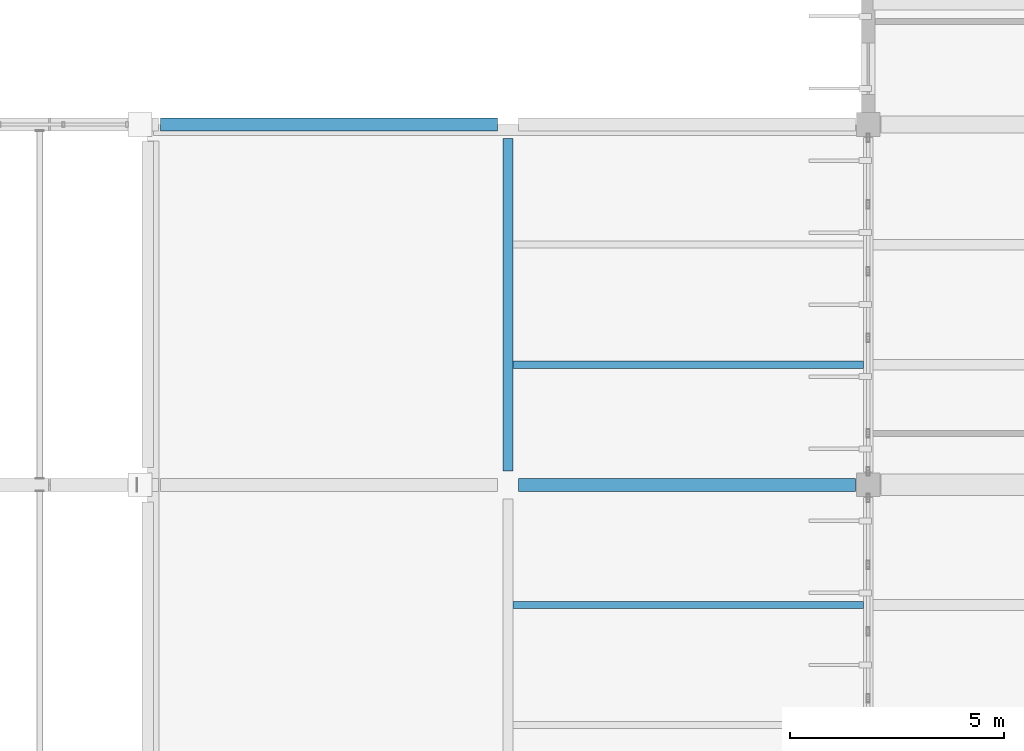
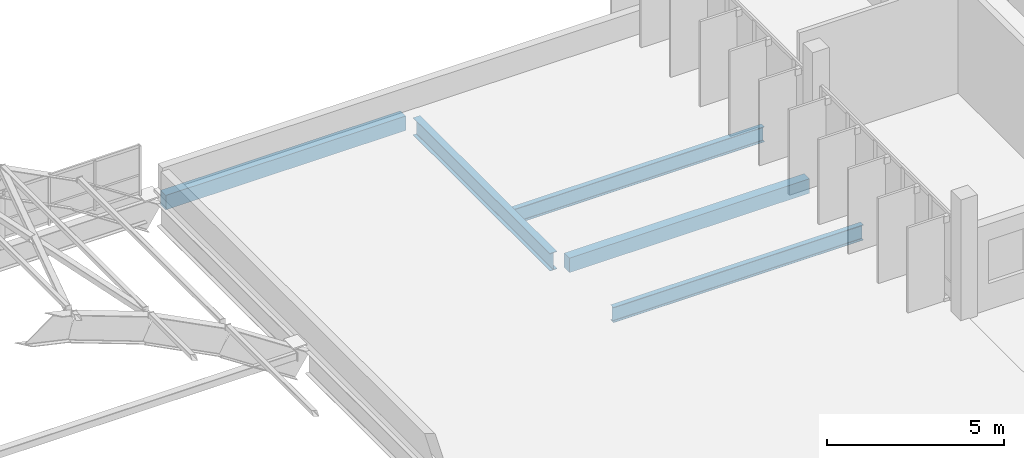
# One storey, part 19 of 130: 5 beams.
"""IFC4 building model written with IfcOpenShell, lengths in metres."""

import ifcopenshell
import ifcopenshell.guid

model = None  # the IFC model being written
_history = None  # IfcOwnerHistory: only IFC2X3 demands one
_inside = {}  # id of a spatial element -> (the spatial element, [elements in it])
_under = {}  # id of a project, library or spatial element -> (it, [spatial elements below it])
_declared = {}  # id of a project -> (the project, [libraries it declares])
_typed = {}  # id of a type object -> (the type object, [elements of that type])
_made_of = {}  # id of a material, layer set ... -> (it, [elements and type objects made of it])


def new_model(schema):
    """Start an empty IFC model of exactly this schema.

    Asked for "IFC4X3", IfcOpenShell would pick the latest addendum, in which some entities
    have other attributes; the version numbers below select the first issue.
    IFC2X3 requires an IfcOwnerHistory on every rooted entity: one is made here for all.
    """
    global model, _history
    if schema == "IFC4X3":
        model = ifcopenshell.file(schema_version=(4, 3, 0, 0))
    else:
        model = ifcopenshell.file(schema=schema)
    _inside.clear()
    _under.clear()
    _declared.clear()
    _typed.clear()
    _made_of.clear()
    _history = None
    if model.schema == "IFC2X3":
        org = make("IfcOrganization", Name="unknown")
        user = make(
            "IfcPersonAndOrganization",
            ThePerson=make("IfcPerson", FamilyName="unknown"),
            TheOrganization=org,
        )
        app = make(
            "IfcApplication",
            ApplicationDeveloper=org,
            Version="unknown",
            ApplicationFullName="unknown",
            ApplicationIdentifier="unknown",
        )
        _history = make(
            "IfcOwnerHistory",
            OwningUser=user,
            OwningApplication=app,
            ChangeAction="ADDED",
            CreationDate=0,
        )
    return model


def make(cls, **values):
    """One entity of the class cls with the attributes given. An attribute that is None is left unset."""
    return model.create_entity(
        cls, **{name: value for name, value in values.items() if value is not None}
    )


def rooted(cls, **values):
    """An entity with a GlobalId (a new one), such as an element, a storey or a relation."""
    return make(cls, GlobalId=ifcopenshell.guid.new(), OwnerHistory=_history, **values)


def si_unit(unit_type, name, prefix=None):
    """IfcSIUnit, for example si_unit("LENGTHUNIT", "METRE", prefix="MILLI")."""
    return make("IfcSIUnit", UnitType=unit_type, Prefix=prefix, Name=name)


def assignment(units):
    """IfcUnitAssignment: the units of a project."""
    return None if units is None else make("IfcUnitAssignment", Units=units)


def point(xyz):
    """IfcCartesianPoint."""
    return None if xyz is None else make("IfcCartesianPoint", Coordinates=xyz)


def direction(xyz):
    """IfcDirection."""
    return None if xyz is None else make("IfcDirection", DirectionRatios=xyz)


def frame(location, z_axis=None, x_axis=None):
    """IfcAxis2Placement3D, a coordinate frame: its origin and axes. An axis left out is left unset."""
    return make(
        "IfcAxis2Placement3D",
        Location=point(location),
        Axis=direction(z_axis),
        RefDirection=direction(x_axis),
    )


def frame_2d(location, x_axis=None):
    """IfcAxis2Placement2D, a coordinate frame in the plane: its origin and x axis."""
    return make(
        "IfcAxis2Placement2D", Location=point(location), RefDirection=direction(x_axis)
    )


def origin():
    """The frame at (0, 0, 0) with its axes left unset."""
    return frame((0.0, 0.0, 0.0))


def origin_2d():
    """The frame at (0, 0) in the plane with its x axis left unset."""
    return frame_2d((0.0, 0.0))


def place(relative_to, where):
    """IfcLocalPlacement: puts the frame where relative to a parent placement (None: the world)."""
    return make(
        "IfcLocalPlacement", PlacementRelTo=relative_to, RelativePlacement=where
    )


def context(
    kind, dimensions, precision=None, world=None, true_north=None, identifier=None
):
    """IfcGeometricRepresentationContext, for example the 3D "Model" context."""
    return make(
        "IfcGeometricRepresentationContext",
        ContextIdentifier=identifier,
        ContextType=kind,
        CoordinateSpaceDimension=dimensions,
        Precision=precision,
        WorldCoordinateSystem=world,
        TrueNorth=true_north,
    )


def subcontext(parent, identifier, kind, view, scale=None):
    """IfcGeometricRepresentationSubContext, for example "Body" below "Model"."""
    return make(
        "IfcGeometricRepresentationSubContext",
        ContextIdentifier=identifier,
        ContextType=kind,
        ParentContext=parent,
        TargetScale=scale,
        TargetView=view,
    )


def project(units=None, contexts=None):
    """IfcProject with its units and contexts."""
    return rooted(
        "IfcProject",
        Name="project",
        RepresentationContexts=contexts,
        UnitsInContext=assignment(units),
    )


def spatial(cls, under=None, at=None, **own):
    """A site, building, storey or space (cls), placed at a placement, below another one or the project."""
    s = rooted(cls, ObjectPlacement=at, **own)
    if under is not None:
        _under.setdefault(under.id(), (under, []))[1].append(s)
    return s


def profile(cls, at=None, kind="AREA", **sizes):
    """A parametric profile (cls). Its sizes go by their IFC names, for example OverallWidth=200.0."""
    return make(cls, ProfileType=kind, Position=at, **sizes)


def rectangle(**sizes):
    """IfcRectangleProfileDef."""
    return profile("IfcRectangleProfileDef", **sizes)


def i_section(**sizes):
    """IfcIShapeProfileDef."""
    return profile("IfcIShapeProfileDef", **sizes)


def extrude(swept, where, along, depth):
    """IfcExtrudedAreaSolid: the profile swept, set in the frame where, extruded along a direction by depth."""
    return make(
        "IfcExtrudedAreaSolid",
        SweptArea=swept,
        Position=where,
        ExtrudedDirection=direction(along),
        Depth=depth,
    )


def shape(context_of_items, identifier, shape_type, items):
    """IfcShapeRepresentation: the items that make up one representation, for example the "Body"."""
    return make(
        "IfcShapeRepresentation",
        ContextOfItems=context_of_items,
        RepresentationIdentifier=identifier,
        RepresentationType=shape_type,
        Items=items,
    )


def material(Name=None, Category=None):
    """IfcMaterial."""
    return make("IfcMaterial", Name=Name, Category=Category)


def material_profile(
    of_material, cross_section, Name=None, Category=None, Priority=None
):
    """IfcMaterialProfile: a cross section and its material."""
    return make(
        "IfcMaterialProfile",
        Name=Name,
        Material=of_material,
        Profile=cross_section,
        Priority=Priority,
        Category=Category,
    )


def profile_set(profiles, Name=None, composite=None):
    """IfcMaterialProfileSet."""
    return make(
        "IfcMaterialProfileSet",
        Name=Name,
        MaterialProfiles=profiles,
        CompositeProfile=composite,
    )


def made_of(thing, what):
    """Note that an element or type object is made of a material, layer set ...; save() writes the relation."""
    if what is not None:
        _made_of.setdefault(what.id(), (what, []))[1].append(thing)
    return thing


def type_object(cls, material=None, **own):
    """A type object (cls), such as IfcWallType, which elements share."""
    return made_of(rooted(cls, **own), material)


def element(
    cls,
    number,
    at=None,
    inside=None,
    cuts=None,
    type_object=None,
    material=None,
    context=None,
    identifier="Body",
    shape_type=None,
    held_by="IfcProductDefinitionShape",
    body=None,
    shapes=None,
    **own,
):
    """One element of the class cls, such as IfcWall. Its Tag is "e" and its number.

    at: its placement. inside: the storey or other place that contains it. cuts: it is an
    opening in that element (IfcRelVoidsElement). A single representation is given by context,
    identifier, shape_type and body (its items); several are given by shapes. held_by: the class
    of the entity that holds the representations. save() writes the other relations.
    """
    e = rooted(cls, Tag="e%d" % number, ObjectPlacement=at, **own)
    if body is not None:
        shapes = [shape(context, identifier, shape_type, body)]
    if shapes is not None:
        e.Representation = make(held_by, Representations=shapes)
    if inside is not None:
        _inside.setdefault(inside.id(), (inside, []))[1].append(e)
    if cuts is not None:
        rooted(
            "IfcRelVoidsElement", RelatingBuildingElement=cuts, RelatedOpeningElement=e
        )
    if type_object is not None:
        _typed.setdefault(type_object.id(), (type_object, []))[1].append(e)
    return made_of(e, material)


def aggregate(whole, parts):
    """IfcRelAggregates: a whole, such as a stair, and the parts it consists of."""
    return rooted("IfcRelAggregates", RelatingObject=whole, RelatedObjects=parts)


def save(model, path):
    """Write the relations noted so far, then the file.

    IfcRelAggregates (storeys below a building ...), IfcRelContainedInSpatialStructure (elements
    in a storey), IfcRelDefinesByType, IfcRelAssociatesMaterial and IfcRelDeclares: one each for
    every whole, place, type object, material and project.
    """
    for whole, parts in _under.values():
        aggregate(whole, parts)
    for where, things in _inside.values():
        rooted(
            "IfcRelContainedInSpatialStructure",
            RelatedElements=things,
            RelatingStructure=where,
        )
    for kind, things in _typed.values():
        rooted("IfcRelDefinesByType", RelatedObjects=things, RelatingType=kind)
    for what, things in _made_of.values():
        rooted("IfcRelAssociatesMaterial", RelatedObjects=things, RelatingMaterial=what)
    for by, libraries in _declared.values():
        rooted("IfcRelDeclares", RelatingContext=by, RelatedDefinitions=libraries)
    model.write(path)


model = new_model("IFC4")

# Units and contexts
model_context = context("Model", 3, precision=1e-05, world=origin(), true_north=direction((0.0, 1.0)))
body_context = subcontext(model_context, "Body", "Model", "MODEL_VIEW")
ifc_project = project(units=[si_unit("LENGTHUNIT", "METRE"), si_unit("AREAUNIT", "SQUARE_METRE"), si_unit("VOLUMEUNIT", "CUBIC_METRE"), si_unit("PLANEANGLEUNIT", "RADIAN"), si_unit("MASSUNIT", "GRAM", prefix="KILO")], contexts=[model_context])

# Site, building, storey
site_placement = place(None, origin())
site = spatial("IfcSite", under=ifc_project, at=site_placement, CompositionType="ELEMENT")
building_placement = place(site_placement, origin())
building = spatial("IfcBuilding", under=site, at=building_placement, Name="Vireocrest Preparatory School", CompositionType="ELEMENT")
storey_placement = place(building_placement, frame((0.0, 0.0, 9.0)))
storey = spatial("IfcBuildingStorey", under=building, at=storey_placement, Name="L02", CompositionType="ELEMENT", Elevation=9.0)

# Beams
ifc_material_1 = material(Name="Structural steel ASTM A992 Grade 50", Category="steel")
ifc_material_profile_1 = material_profile(ifc_material_1, i_section(OverallWidth=0.22802734375, OverallDepth=0.60791015625, WebThickness=0.01123046875, FlangeThickness=0.017333984375, FilletRadius=0.01611328125, at=origin_2d()), Name="W24X76")
ifc_profile_set_1 = profile_set([ifc_material_profile_1], Name="Structural steel ASTM A992 Grade 50")
beam_type_1 = type_object("IfcBeamType", Name="Gallery Steel Girder W24X76", PredefinedType="BEAM", material=ifc_profile_set_1)
beam_1_placement = place(storey_placement, frame((33.60009765625, 44.125, -0.52392578125), z_axis=(0.0, 1.0, 0.0), x_axis=(-1.0, 0.0, 0.0)))
element("IfcBeam", 1, at=beam_1_placement, inside=storey, type_object=beam_type_1, Name="Primary Girder SB3 L02-0786", PredefinedType="BEAM", context=body_context, shape_type="SweptSolid", body=[
    extrude(i_section(OverallWidth=0.22802734375, OverallDepth=0.60791015625, WebThickness=0.01123046875, FlangeThickness=0.017333984375, FilletRadius=0.01611328125, at=origin_2d()), origin(), (0.0, 0.0, 1.0), 7.75),
])
ifc_material_profile_2 = material_profile(ifc_material_1, i_section(OverallWidth=0.166015625, OverallDepth=0.529052734375, WebThickness=0.009765625, FlangeThickness=0.013671875, FilletRadius=0.014892578125, at=origin_2d()), Name="W21X50")
ifc_profile_set_2 = profile_set([ifc_material_profile_2], Name="Structural steel ASTM A992 Grade 50")
beam_type_2 = type_object("IfcBeamType", Name="Pavilion Roof Joist W21X50", PredefinedType="JOIST", material=ifc_profile_set_2)
for number, where, z_axis, x_axis, name in (
    (2, (33.714111328125, 41.0, -0.484619140625), (1.0, 0.0, 0.0), (0.0, 1.0, 0.0), "Secondary Joist SJ1 L02-0887"),
    (3, (33.714111328125, 46.60009765625, -0.484619140625), (1.0, 0.0, 0.0), (0.0, 1.0, 0.0), "Secondary Joist SJ1 L02-0888"),
):
    element("IfcBeam", number, at=place(storey_placement, frame(where, z_axis=z_axis, x_axis=x_axis)), inside=storey, type_object=beam_type_2, Name=name, PredefinedType="JOIST", context=body_context, shape_type="SweptSolid", body=[
        extrude(i_section(OverallWidth=0.166015625, OverallDepth=0.529052734375, WebThickness=0.009765625, FlangeThickness=0.013671875, FilletRadius=0.014892578125, at=origin_2d()), origin(), (0.0, 0.0, 1.0), 8.171875),
    ])
ifc_material_2 = material(Name="Concrete 40 MPa", Category="concrete")
ifc_material_profile_3 = material_profile(ifc_material_2, rectangle(XDim=0.300048828125, YDim=0.5, at=origin_2d()), Name="RC 300x500")
ifc_profile_set_3 = profile_set([ifc_material_profile_3], Name="Concrete 40 MPa")
beam_type_3 = type_object("IfcBeamType", Name="RC Roof Edge Beam 300x500", PredefinedType="BEAM", material=ifc_profile_set_3)
beam_2_placement = place(storey_placement, frame((33.85009765625, 43.800048828125, -0.469970703125), z_axis=(1.0, 0.0, 0.0), x_axis=(0.0, 1.0, 0.0)))
element("IfcBeam", 4, at=beam_2_placement, inside=storey, type_object=beam_type_3, Name="Primary Girder B01 L02-0715", PredefinedType="BEAM", context=body_context, shape_type="SweptSolid", body=[
    extrude(rectangle(XDim=0.300048828125, YDim=0.5, at=origin_2d()), origin(), (0.0, 0.0, 1.0), 7.849853515625),
])
beam_3_placement = place(storey_placement, frame((25.5, 52.199951171875, -0.469970703125), z_axis=(1.0, 0.0, 0.0), x_axis=(0.0, 1.0, 0.0)))
element("IfcBeam", 5, at=beam_3_placement, inside=storey, type_object=beam_type_3, Name="Primary Girder B01 L02-0725", PredefinedType="BEAM", context=body_context, shape_type="SweptSolid", body=[
    extrude(rectangle(XDim=0.300048828125, YDim=0.5, at=origin_2d()), origin(), (0.0, 0.0, 1.0), 7.85009765625),
])

save(model, "model.ifc")
